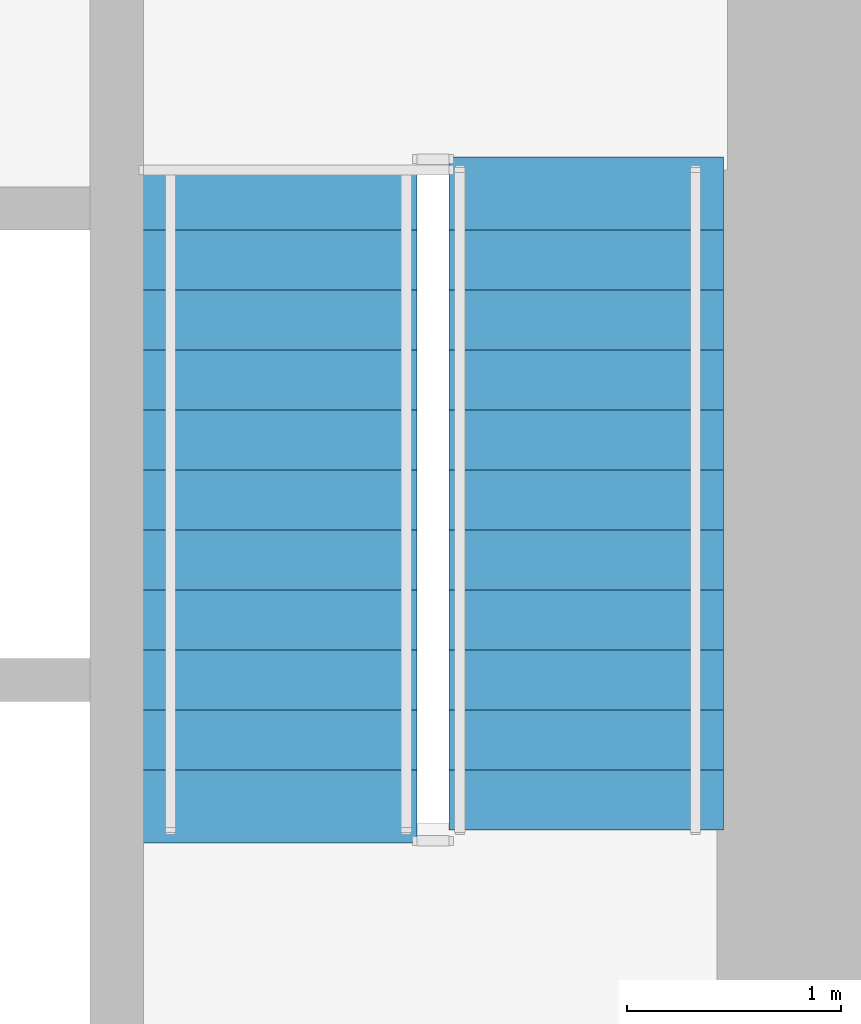
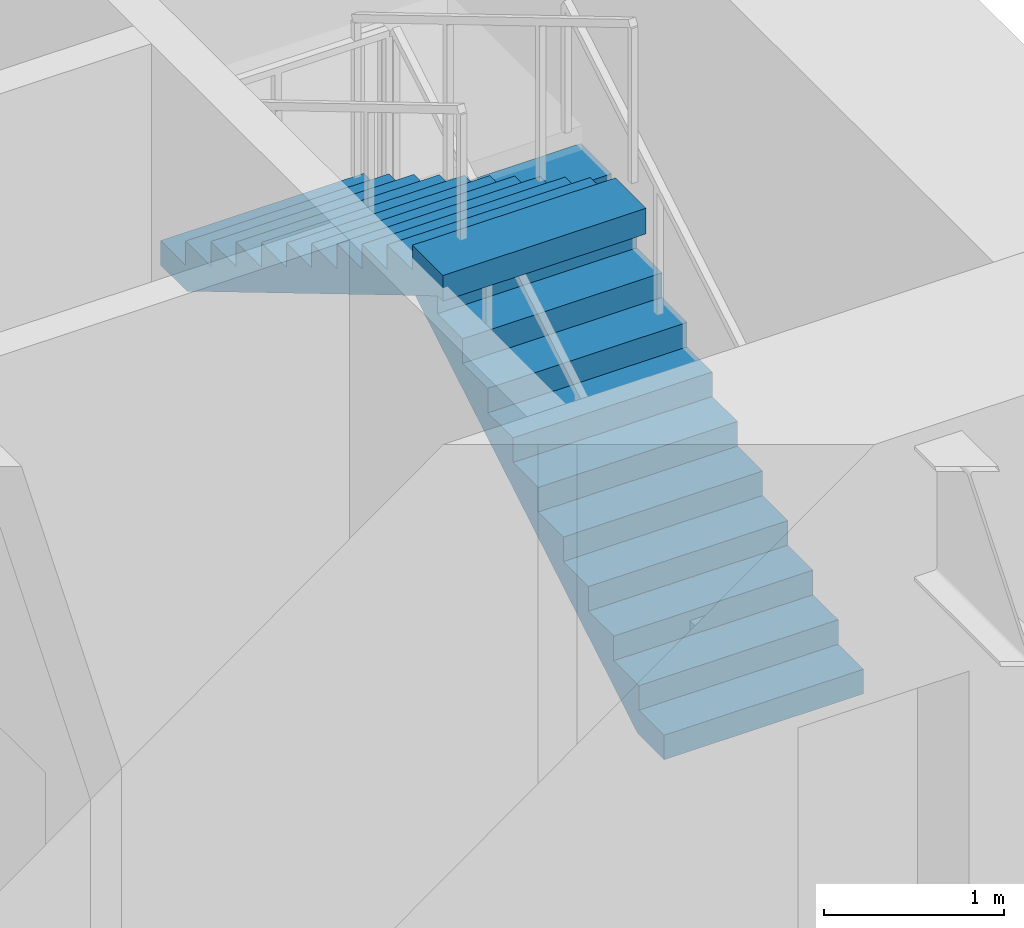
# One storey, part 10 of 16: 2 stair flights, 1 element without a shape of its own.
"""IFC4 building model written with IfcOpenShell, lengths in metres."""

from ifc_helpers import new_model, si_unit, direction, frame, origin, place, context, subcontext, project, spatial, polyline, outline, extrude, material, type_object, element, aggregate, save


model = new_model("IFC4")

# Units and contexts
model_context = context("Model", 3, precision=1e-05, world=origin(), true_north=direction((0.0, 1.0)))
body_context = subcontext(model_context, "Body", "Model", "MODEL_VIEW")
ifc_project = project(units=[si_unit("LENGTHUNIT", "METRE"), si_unit("AREAUNIT", "SQUARE_METRE"), si_unit("VOLUMEUNIT", "CUBIC_METRE"), si_unit("PLANEANGLEUNIT", "RADIAN"), si_unit("MASSUNIT", "GRAM", prefix="KILO")], contexts=[model_context])

# Site, building, storey
site_placement = place(None, origin())
site = spatial("IfcSite", under=ifc_project, at=site_placement, CompositionType="ELEMENT")
building_placement = place(site_placement, origin())
building = spatial("IfcBuilding", under=site, at=building_placement, Name="Sennacour Bend Tower", CompositionType="ELEMENT")
storey_placement = place(building_placement, frame((0.0, 0.0, 73.0)))
storey = spatial("IfcBuildingStorey", under=building, at=storey_placement, Name="L16", CompositionType="ELEMENT", Elevation=73.0)

# Stair, stair flights
ifc_material = material(Name="Concrete C40/50", Category="concrete")
stair_type = type_object("IfcStairType", Name="ST-DOGLEG", PredefinedType="HALF_TURN_STAIR", material=ifc_material)
stair_placement = place(storey_placement, origin())
stair = element("IfcStair", 1, at=stair_placement, inside=storey, type_object=stair_type, Name="L16 Exit stair B2", PredefinedType="HALF_TURN_STAIR")
stair_flight_type = type_object("IfcStairFlightType", Name="SFL-RC", PredefinedType="STRAIGHT", material=ifc_material)
stair_flight_1_placement = place(storey_placement, frame((20.68994140625, 38.699951171875, 0.0), z_axis=(0.0, 0.0, 1.0), x_axis=(0.0, 1.0, 0.0)))
stair_flight_1 = element("IfcStairFlight", 2, at=stair_flight_1_placement, type_object=stair_flight_type, Name="SB2 flight 1", NumberOfRisers=12, NumberOfTreads=11, PredefinedType="STRAIGHT", RiserHeight=0.166666667, TreadLength=0.28, context=body_context, shape_type="SweptSolid", body=[
    extrude(outline(polyline([(0.0, 0.0), (0.0, 0.166748046875), (0.280029296875, 0.166748046875), (0.280029296875, 0.333251953125), (0.56005859375, 0.333251953125), (0.56005859375, 0.5), (0.840087890625, 0.5), (0.840087890625, 0.666748046875), (1.1201171875, 0.666748046875), (1.1201171875, 0.833251953125), (1.39990234375, 0.833251953125), (1.39990234375, 1.0), (1.679931640625, 1.0), (1.679931640625, 1.166748046875), (1.9599609375, 1.166748046875), (1.9599609375, 1.333251953125), (2.239990234375, 1.333251953125), (2.239990234375, 1.5), (2.52001953125, 1.5), (2.52001953125, 1.666748046875), (2.800048828125, 1.666748046875), (2.800048828125, 1.833251953125), (3.080078125, 1.833251953125), (3.139892578125, 1.833251953125), (3.139892578125, 1.658935546875), (3.080078125, 1.658935546875), (0.29296875, 0.0), (0.0, 0.0)])), frame((0.0, 0.64013671875, 0.0), z_axis=(0.0, -1.0, 0.0), x_axis=(1.0, 0.0, 0.0)), (0.0, 0.0, 1.0), 1.280029296875),
])
stair_flight_2_placement = place(storey_placement, frame((19.24755859375, 41.780029296875, 2.0), z_axis=(0.0, 0.0, 1.0), x_axis=(0.0, -1.0, 0.0)))
stair_flight_2 = element("IfcStairFlight", 3, at=stair_flight_2_placement, type_object=stair_flight_type, Name="SB2 flight 2", NumberOfRisers=12, NumberOfTreads=11, PredefinedType="STRAIGHT", RiserHeight=0.166666667, TreadLength=0.28, context=body_context, shape_type="SweptSolid", body=[
    extrude(outline(polyline([(0.0, 0.0), (0.0, 0.166748046875), (0.280029296875, 0.166748046875), (0.280029296875, 0.333251953125), (0.56005859375, 0.333251953125), (0.56005859375, 0.5), (0.840087890625, 0.5), (0.840087890625, 0.666748046875), (1.1201171875, 0.666748046875), (1.1201171875, 0.833251953125), (1.39990234375, 0.833251953125), (1.39990234375, 1.0), (1.679931640625, 1.0), (1.679931640625, 1.166748046875), (1.9599609375, 1.166748046875), (1.9599609375, 1.333251953125), (2.239990234375, 1.333251953125), (2.239990234375, 1.5), (2.52001953125, 1.5), (2.52001953125, 1.666748046875), (2.800048828125, 1.666748046875), (2.800048828125, 1.833251953125), (3.080078125, 1.833251953125), (3.139892578125, 1.833251953125), (3.139892578125, 1.658935546875), (3.080078125, 1.658935546875), (0.29296875, 0.0), (0.0, 0.0)])), frame((0.0, 0.65234375, 0.0), z_axis=(0.0, -1.0, 0.0), x_axis=(1.0, 0.0, 0.0)), (0.0, 0.0, 1.0), 1.304931640625),
])
aggregate(stair, [stair_flight_1, stair_flight_2])

save(model, "model.ifc")
